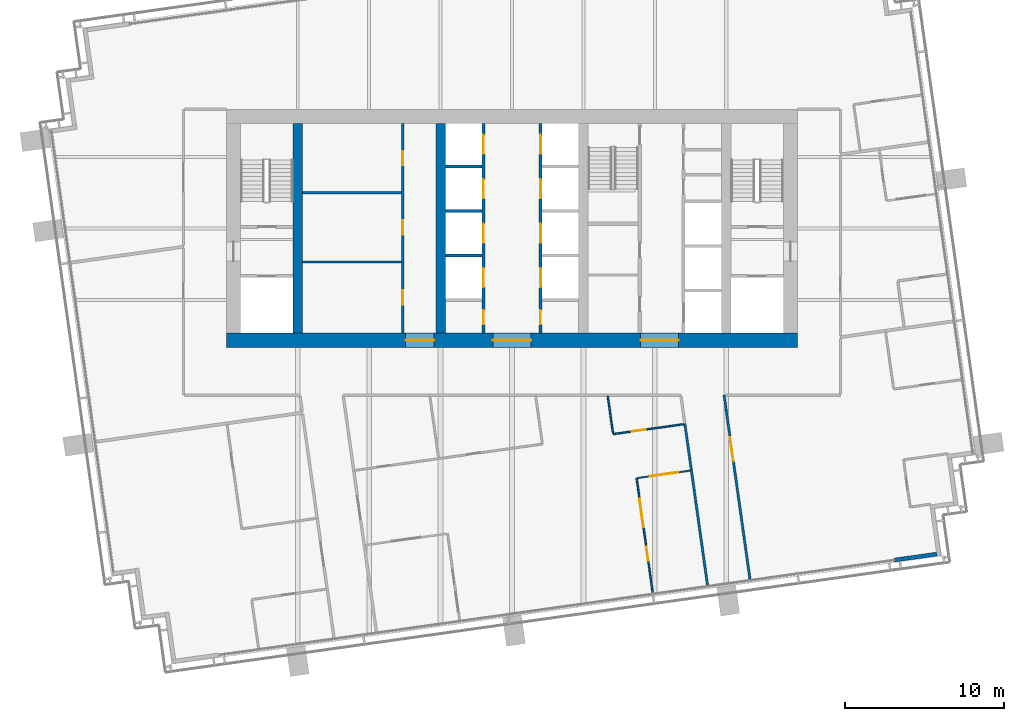
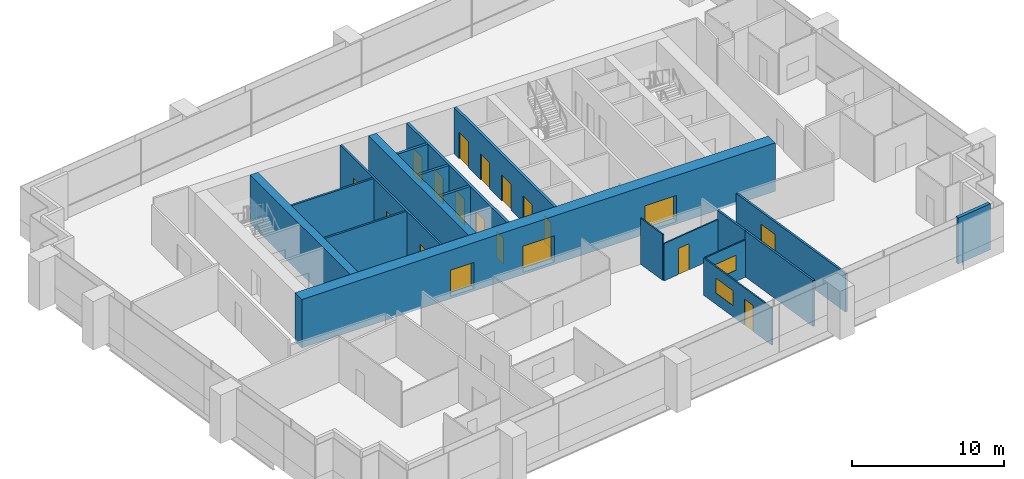
# One storey, part 10 of 18: 19 doors, 19 walls, 2 windows, 21 openings.
"""IFC4 building model written with IfcOpenShell, lengths in metres."""

import ifcopenshell
import ifcopenshell.guid

model = None  # the IFC model being written
_history = None  # IfcOwnerHistory: only IFC2X3 demands one
_inside = {}  # id of a spatial element -> (the spatial element, [elements in it])
_under = {}  # id of a project, library or spatial element -> (it, [spatial elements below it])
_declared = {}  # id of a project -> (the project, [libraries it declares])
_typed = {}  # id of a type object -> (the type object, [elements of that type])
_made_of = {}  # id of a material, layer set ... -> (it, [elements and type objects made of it])


def new_model(schema):
    """Start an empty IFC model of exactly this schema.

    Asked for "IFC4X3", IfcOpenShell would pick the latest addendum, in which some entities
    have other attributes; the version numbers below select the first issue.
    IFC2X3 requires an IfcOwnerHistory on every rooted entity: one is made here for all.
    """
    global model, _history
    if schema == "IFC4X3":
        model = ifcopenshell.file(schema_version=(4, 3, 0, 0))
    else:
        model = ifcopenshell.file(schema=schema)
    _inside.clear()
    _under.clear()
    _declared.clear()
    _typed.clear()
    _made_of.clear()
    _history = None
    if model.schema == "IFC2X3":
        org = make("IfcOrganization", Name="unknown")
        user = make(
            "IfcPersonAndOrganization",
            ThePerson=make("IfcPerson", FamilyName="unknown"),
            TheOrganization=org,
        )
        app = make(
            "IfcApplication",
            ApplicationDeveloper=org,
            Version="unknown",
            ApplicationFullName="unknown",
            ApplicationIdentifier="unknown",
        )
        _history = make(
            "IfcOwnerHistory",
            OwningUser=user,
            OwningApplication=app,
            ChangeAction="ADDED",
            CreationDate=0,
        )
    return model


def make(cls, **values):
    """One entity of the class cls with the attributes given. An attribute that is None is left unset."""
    return model.create_entity(
        cls, **{name: value for name, value in values.items() if value is not None}
    )


def rooted(cls, **values):
    """An entity with a GlobalId (a new one), such as an element, a storey or a relation."""
    return make(cls, GlobalId=ifcopenshell.guid.new(), OwnerHistory=_history, **values)


def si_unit(unit_type, name, prefix=None):
    """IfcSIUnit, for example si_unit("LENGTHUNIT", "METRE", prefix="MILLI")."""
    return make("IfcSIUnit", UnitType=unit_type, Prefix=prefix, Name=name)


def assignment(units):
    """IfcUnitAssignment: the units of a project."""
    return None if units is None else make("IfcUnitAssignment", Units=units)


def point(xyz):
    """IfcCartesianPoint."""
    return None if xyz is None else make("IfcCartesianPoint", Coordinates=xyz)


def direction(xyz):
    """IfcDirection."""
    return None if xyz is None else make("IfcDirection", DirectionRatios=xyz)


def frame(location, z_axis=None, x_axis=None):
    """IfcAxis2Placement3D, a coordinate frame: its origin and axes. An axis left out is left unset."""
    return make(
        "IfcAxis2Placement3D",
        Location=point(location),
        Axis=direction(z_axis),
        RefDirection=direction(x_axis),
    )


def frame_2d(location, x_axis=None):
    """IfcAxis2Placement2D, a coordinate frame in the plane: its origin and x axis."""
    return make(
        "IfcAxis2Placement2D", Location=point(location), RefDirection=direction(x_axis)
    )


def origin():
    """The frame at (0, 0, 0) with its axes left unset."""
    return frame((0.0, 0.0, 0.0))


def place(relative_to, where):
    """IfcLocalPlacement: puts the frame where relative to a parent placement (None: the world)."""
    return make(
        "IfcLocalPlacement", PlacementRelTo=relative_to, RelativePlacement=where
    )


def context(
    kind, dimensions, precision=None, world=None, true_north=None, identifier=None
):
    """IfcGeometricRepresentationContext, for example the 3D "Model" context."""
    return make(
        "IfcGeometricRepresentationContext",
        ContextIdentifier=identifier,
        ContextType=kind,
        CoordinateSpaceDimension=dimensions,
        Precision=precision,
        WorldCoordinateSystem=world,
        TrueNorth=true_north,
    )


def subcontext(parent, identifier, kind, view, scale=None):
    """IfcGeometricRepresentationSubContext, for example "Body" below "Model"."""
    return make(
        "IfcGeometricRepresentationSubContext",
        ContextIdentifier=identifier,
        ContextType=kind,
        ParentContext=parent,
        TargetScale=scale,
        TargetView=view,
    )


def project(units=None, contexts=None):
    """IfcProject with its units and contexts."""
    return rooted(
        "IfcProject",
        Name="project",
        RepresentationContexts=contexts,
        UnitsInContext=assignment(units),
    )


def spatial(cls, under=None, at=None, **own):
    """A site, building, storey or space (cls), placed at a placement, below another one or the project."""
    s = rooted(cls, ObjectPlacement=at, **own)
    if under is not None:
        _under.setdefault(under.id(), (under, []))[1].append(s)
    return s


def profile(cls, at=None, kind="AREA", **sizes):
    """A parametric profile (cls). Its sizes go by their IFC names, for example OverallWidth=200.0."""
    return make(cls, ProfileType=kind, Position=at, **sizes)


def rectangle(**sizes):
    """IfcRectangleProfileDef."""
    return profile("IfcRectangleProfileDef", **sizes)


def extrude(swept, where, along, depth):
    """IfcExtrudedAreaSolid: the profile swept, set in the frame where, extruded along a direction by depth."""
    return make(
        "IfcExtrudedAreaSolid",
        SweptArea=swept,
        Position=where,
        ExtrudedDirection=direction(along),
        Depth=depth,
    )


def shape(context_of_items, identifier, shape_type, items):
    """IfcShapeRepresentation: the items that make up one representation, for example the "Body"."""
    return make(
        "IfcShapeRepresentation",
        ContextOfItems=context_of_items,
        RepresentationIdentifier=identifier,
        RepresentationType=shape_type,
        Items=items,
    )


def material(Name=None, Category=None):
    """IfcMaterial."""
    return make("IfcMaterial", Name=Name, Category=Category)


def layer(
    of_material, thickness, ventilated=None, Name=None, Category=None, Priority=None
):
    """IfcMaterialLayer: one layer of a wall or slab, of a material (None: an air gap)."""
    return make(
        "IfcMaterialLayer",
        Material=of_material,
        LayerThickness=thickness,
        IsVentilated=ventilated,
        Name=Name,
        Category=Category,
        Priority=Priority,
    )


def layer_set(layers, Name=None):
    """IfcMaterialLayerSet."""
    return make("IfcMaterialLayerSet", MaterialLayers=layers, LayerSetName=Name)


def made_of(thing, what):
    """Note that an element or type object is made of a material, layer set ...; save() writes the relation."""
    if what is not None:
        _made_of.setdefault(what.id(), (what, []))[1].append(thing)
    return thing


def type_object(cls, material=None, **own):
    """A type object (cls), such as IfcWallType, which elements share."""
    return made_of(rooted(cls, **own), material)


def element(
    cls,
    number,
    at=None,
    inside=None,
    cuts=None,
    type_object=None,
    material=None,
    context=None,
    identifier="Body",
    shape_type=None,
    held_by="IfcProductDefinitionShape",
    body=None,
    shapes=None,
    **own,
):
    """One element of the class cls, such as IfcWall. Its Tag is "e" and its number.

    at: its placement. inside: the storey or other place that contains it. cuts: it is an
    opening in that element (IfcRelVoidsElement). A single representation is given by context,
    identifier, shape_type and body (its items); several are given by shapes. held_by: the class
    of the entity that holds the representations. save() writes the other relations.
    """
    e = rooted(cls, Tag="e%d" % number, ObjectPlacement=at, **own)
    if body is not None:
        shapes = [shape(context, identifier, shape_type, body)]
    if shapes is not None:
        e.Representation = make(held_by, Representations=shapes)
    if inside is not None:
        _inside.setdefault(inside.id(), (inside, []))[1].append(e)
    if cuts is not None:
        rooted(
            "IfcRelVoidsElement", RelatingBuildingElement=cuts, RelatedOpeningElement=e
        )
    if type_object is not None:
        _typed.setdefault(type_object.id(), (type_object, []))[1].append(e)
    return made_of(e, material)


def fill(opening, filler):
    """IfcRelFillsElement: the door or window that sits in an opening."""
    return rooted(
        "IfcRelFillsElement",
        RelatingOpeningElement=opening,
        RelatedBuildingElement=filler,
    )


def aggregate(whole, parts):
    """IfcRelAggregates: a whole, such as a stair, and the parts it consists of."""
    return rooted("IfcRelAggregates", RelatingObject=whole, RelatedObjects=parts)


def save(model, path):
    """Write the relations noted so far, then the file.

    IfcRelAggregates (storeys below a building ...), IfcRelContainedInSpatialStructure (elements
    in a storey), IfcRelDefinesByType, IfcRelAssociatesMaterial and IfcRelDeclares: one each for
    every whole, place, type object, material and project.
    """
    for whole, parts in _under.values():
        aggregate(whole, parts)
    for where, things in _inside.values():
        rooted(
            "IfcRelContainedInSpatialStructure",
            RelatedElements=things,
            RelatingStructure=where,
        )
    for kind, things in _typed.values():
        rooted("IfcRelDefinesByType", RelatedObjects=things, RelatingType=kind)
    for what, things in _made_of.values():
        rooted("IfcRelAssociatesMaterial", RelatedObjects=things, RelatingMaterial=what)
    for by, libraries in _declared.values():
        rooted("IfcRelDeclares", RelatingContext=by, RelatedDefinitions=libraries)
    model.write(path)


model = new_model("IFC4")

# Units and contexts
model_context = context("Model", 3, precision=1e-05, world=origin(), true_north=direction((0.0, 1.0)))
body_context = subcontext(model_context, "Body", "Model", "MODEL_VIEW")
ifc_project = project(units=[si_unit("LENGTHUNIT", "METRE"), si_unit("AREAUNIT", "SQUARE_METRE"), si_unit("VOLUMEUNIT", "CUBIC_METRE"), si_unit("PLANEANGLEUNIT", "RADIAN"), si_unit("MASSUNIT", "GRAM", prefix="KILO")], contexts=[model_context])

# Site, building, storey
site_placement = place(None, origin())
site = spatial("IfcSite", under=ifc_project, at=site_placement, CompositionType="ELEMENT")
building_placement = place(site_placement, origin())
building = spatial("IfcBuilding", under=site, at=building_placement, Name="Rattan Terrace Tower", CompositionType="ELEMENT")
storey_placement = place(building_placement, frame((0.0, 0.0, 188.0)))
storey = spatial("IfcBuildingStorey", under=building, at=storey_placement, Name="L43", CompositionType="ELEMENT", Elevation=188.0)

# Wall, openings, doors
ifc_material_1 = material(Name="Gypsum board partition")
ifc_layer_1 = layer(ifc_material_1, 0.14990234375)
ifc_layer_set_1 = layer_set([ifc_layer_1], Name="Core partition 150")
wall_type_1 = type_object("IfcWallType", Name="Core partition 150", PredefinedType="PARTITIONING", material=ifc_layer_set_1)
wall_1_placement = place(storey_placement, frame((-6.875, -6.60009765625, 0.0), z_axis=(0.0, 0.0, 1.0), x_axis=(0.0, 1.0, 0.0)))
wall_1 = element("IfcWall", 1, at=wall_1_placement, inside=storey, type_object=wall_type_1, Name="Core room wall", PredefinedType="PARTITIONING", context=body_context, shape_type="SweptSolid", body=[
    extrude(rectangle(XDim=13.2001953125, YDim=0.14990234375, at=frame_2d((6.60009765625, 0.0))), origin(), (0.0, 0.0, 1.0), 3.699951171875),
])
opening_1_placement = place(wall_1_placement, frame((1.7939453125, 0.0, 0.0)))
opening_1 = element("IfcOpeningElement", 2, at=opening_1_placement, cuts=wall_1, Name="Opening L43-D005", PredefinedType="OPENING", context=body_context, shape_type="SweptSolid", body=[
    extrude(rectangle(XDim=0.89990234375, YDim=2.10009765625, at=frame_2d((0.449951171875, 1.050048828125))), frame((0.0, 0.08544921875, 0.0), z_axis=(0.0, -1.0, 0.0), x_axis=(1.0, 0.0, 0.0)), (0.0, 0.0, 1.0), 0.1708984375),
])
opening_2_placement = place(wall_1_placement, frame((6.216064453125, 0.0, 0.0)))
opening_2 = element("IfcOpeningElement", 3, at=opening_2_placement, cuts=wall_1, Name="Opening L43-D006", PredefinedType="OPENING", context=body_context, shape_type="SweptSolid", body=[
    extrude(rectangle(XDim=0.89990234375, YDim=2.10009765625, at=frame_2d((0.449951171875, 1.050048828125))), frame((0.0, 0.08544921875, 0.0), z_axis=(0.0, -1.0, 0.0), x_axis=(1.0, 0.0, 0.0)), (0.0, 0.0, 1.0), 0.1708984375),
])
opening_3_placement = place(wall_1_placement, frame((10.572021484375, 0.0, 0.0)))
opening_3 = element("IfcOpeningElement", 4, at=opening_3_placement, cuts=wall_1, Name="Opening L43-D007", PredefinedType="OPENING", context=body_context, shape_type="SweptSolid", body=[
    extrude(rectangle(XDim=0.89990234375, YDim=2.10009765625, at=frame_2d((0.449951171875, 1.050048828125))), frame((0.0, 0.08544921875, 0.0), z_axis=(0.0, -1.0, 0.0), x_axis=(1.0, 0.0, 0.0)), (0.0, 0.0, 1.0), 0.1708984375),
])
ifc_material_2 = material(Name="Hollow-metal fire door leaf")
door_type_1 = type_object("IfcDoorType", Name="Core service room door 900", OperationType="NOTDEFINED", PredefinedType="DOOR", material=ifc_material_2)
door_1_placement = place(opening_1_placement, origin())
door_1 = element("IfcDoor", 5, at=door_1_placement, inside=storey, type_object=door_type_1, Name="Door L43-D005", OperationType="SINGLE_SWING_LEFT", OverallHeight=2.10009765625, OverallWidth=0.89990234375, PredefinedType="DOOR", context=body_context, shape_type="SweptSolid", body=[
    extrude(rectangle(XDim=0.89990234375, YDim=2.10009765625, at=frame_2d((0.449951171875, 1.050048828125))), frame((0.0, 0.02490234375, 0.0), z_axis=(0.0, -1.0, 0.0), x_axis=(1.0, 0.0, 0.0)), (0.0, 0.0, 1.0), 0.050048828125),
])
fill(opening_1, door_1)
door_2_placement = place(opening_2_placement, origin())
door_2 = element("IfcDoor", 6, at=door_2_placement, inside=storey, type_object=door_type_1, Name="Door L43-D006", OperationType="SINGLE_SWING_RIGHT", OverallHeight=2.10009765625, OverallWidth=0.89990234375, PredefinedType="DOOR", context=body_context, shape_type="SweptSolid", body=[
    extrude(rectangle(XDim=0.89990234375, YDim=2.10009765625, at=frame_2d((0.449951171875, 1.050048828125))), frame((0.0, 0.02490234375, 0.0), z_axis=(0.0, -1.0, 0.0), x_axis=(1.0, 0.0, 0.0)), (0.0, 0.0, 1.0), 0.050048828125),
])
fill(opening_2, door_2)
door_3_placement = place(opening_3_placement, origin())
door_3 = element("IfcDoor", 7, at=door_3_placement, inside=storey, type_object=door_type_1, Name="Door L43-D007", OperationType="SINGLE_SWING_LEFT", OverallHeight=2.10009765625, OverallWidth=0.89990234375, PredefinedType="DOOR", context=body_context, shape_type="SweptSolid", body=[
    extrude(rectangle(XDim=0.89990234375, YDim=2.10009765625, at=frame_2d((0.449951171875, 1.050048828125))), frame((0.0, 0.02490234375, 0.0), z_axis=(0.0, -1.0, 0.0), x_axis=(1.0, 0.0, 0.0)), (0.0, 0.0, 1.0), 0.050048828125),
])
fill(opening_3, door_3)

# Walls
for number, where, z_axis, x_axis, name in (
    (8, (-13.199951171875, -2.112060546875, 0.0), (0.0, 0.0, 1.0), (1.0, 0.0, 0.0), "Core room wall"),
    (9, (-13.199951171875, 2.243896484375, 0.0), (0.0, 0.0, 1.0), (1.0, 0.0, 0.0), "Core room wall"),
):
    element("IfcWall", number, at=place(storey_placement, frame(where, z_axis=z_axis, x_axis=x_axis)), inside=storey, type_object=wall_type_1, Name=name, PredefinedType="PARTITIONING", context=body_context, shape_type="SweptSolid", body=[
        extrude(rectangle(XDim=6.25, YDim=0.14990234375, at=frame_2d((3.125, 0.0))), origin(), (0.0, 0.0, 1.0), 3.699951171875),
    ])

# Wall, openings, doors
ifc_material_3 = material(Name="Concrete C60/75", Category="concrete")
ifc_layer_2 = layer(ifc_material_3, 0.89990234375)
ifc_layer_set_2 = layer_set([ifc_layer_2], Name="Core ring wall 900 C60/75")
wall_type_2 = type_object("IfcWallType", Name="Core ring wall 900 C60/75", PredefinedType="SHEAR", material=ifc_layer_set_2)
wall_2_placement = place(storey_placement, frame((-18.0, -7.050048828125, -0.199951171875), z_axis=(0.0, 0.0, 1.0), x_axis=(1.0, 0.0, 0.0)))
wall_2 = element("IfcWall", 10, at=wall_2_placement, inside=storey, type_object=wall_type_2, Name="Rear core wall south", PredefinedType="SHEAR", context=body_context, shape_type="SweptSolid", body=[
    extrude(rectangle(XDim=36.0, YDim=0.89990234375, at=frame_2d((18.0, 0.0))), origin(), (0.0, 0.0, 1.0), 3.89990234375),
])
opening_4_placement = place(wall_2_placement, frame((11.300048828125, 0.0, 0.199951171875)))
opening_4 = element("IfcOpeningElement", 11, at=opening_4_placement, cuts=wall_2, Name="Opening L43-D008", PredefinedType="OPENING", context=body_context, shape_type="SweptSolid", body=[
    extrude(rectangle(XDim=1.800048828125, YDim=2.10009765625, at=frame_2d((0.89990234375, 1.050048828125))), frame((0.0, 0.46044921875, 0.0), z_axis=(0.0, -1.0, 0.0), x_axis=(1.0, 0.0, 0.0)), (0.0, 0.0, 1.0), 0.9208984375),
])
opening_5_placement = place(wall_2_placement, frame((16.800048828125, 0.0, 0.199951171875)))
opening_5 = element("IfcOpeningElement", 12, at=opening_5_placement, cuts=wall_2, Name="Opening L43-D011", PredefinedType="OPENING", context=body_context, shape_type="SweptSolid", body=[
    extrude(rectangle(XDim=2.39990234375, YDim=2.10009765625, at=frame_2d((1.199951171875, 1.050048828125))), frame((0.0, 0.46044921875, 0.0), z_axis=(0.0, -1.0, 0.0), x_axis=(1.0, 0.0, 0.0)), (0.0, 0.0, 1.0), 0.9208984375),
])
opening_6_placement = place(wall_2_placement, frame((26.10009765625, 0.0, 0.199951171875)))
opening_6 = element("IfcOpeningElement", 13, at=opening_6_placement, cuts=wall_2, Name="Opening L43-D015", PredefinedType="OPENING", context=body_context, shape_type="SweptSolid", body=[
    extrude(rectangle(XDim=2.39990234375, YDim=2.10009765625, at=frame_2d((1.199951171875, 1.050048828125))), frame((0.0, 0.46044921875, 0.0), z_axis=(0.0, -1.0, 0.0), x_axis=(1.0, 0.0, 0.0)), (0.0, 0.0, 1.0), 0.9208984375),
])
ifc_material_4 = material(Name="Hollow-metal fire door leaf")
door_type_2 = type_object("IfcDoorType", Name="Core lift lobby door 2400", OperationType="NOTDEFINED", PredefinedType="DOOR", material=ifc_material_4)
door_4_placement = place(opening_5_placement, origin())
door_4 = element("IfcDoor", 14, at=door_4_placement, inside=storey, type_object=door_type_2, Name="Door L43-D011", OperationType="DOUBLE_DOOR_DOUBLE_SWING", OverallHeight=2.10009765625, OverallWidth=2.39990234375, PredefinedType="DOOR", context=body_context, shape_type="SweptSolid", body=[
    extrude(rectangle(XDim=2.39990234375, YDim=2.10009765625, at=frame_2d((1.199951171875, 1.050048828125))), frame((0.0, 0.02490234375, 0.0), z_axis=(0.0, -1.0, 0.0), x_axis=(1.0, 0.0, 0.0)), (0.0, 0.0, 1.0), 0.050048828125),
])
fill(opening_5, door_4)
door_5_placement = place(opening_6_placement, origin())
door_5 = element("IfcDoor", 15, at=door_5_placement, inside=storey, type_object=door_type_2, Name="Door L43-D015", OperationType="DOUBLE_DOOR_DOUBLE_SWING", OverallHeight=2.10009765625, OverallWidth=2.39990234375, PredefinedType="DOOR", context=body_context, shape_type="SweptSolid", body=[
    extrude(rectangle(XDim=2.39990234375, YDim=2.10009765625, at=frame_2d((1.199951171875, 1.050048828125))), frame((0.0, 0.02490234375, 0.0), z_axis=(0.0, -1.0, 0.0), x_axis=(1.0, 0.0, 0.0)), (0.0, 0.0, 1.0), 0.050048828125),
])
fill(opening_6, door_5)
ifc_material_5 = material(Name="Hollow-metal fire door leaf")
door_type_3 = type_object("IfcDoorType", Name="Core service room door 1800", OperationType="NOTDEFINED", PredefinedType="DOOR", material=ifc_material_5)
door_6_placement = place(opening_4_placement, origin())
door_6 = element("IfcDoor", 16, at=door_6_placement, inside=storey, type_object=door_type_3, Name="Door L43-D008", OperationType="SINGLE_SWING_RIGHT", OverallHeight=2.10009765625, OverallWidth=1.800048828125, PredefinedType="DOOR", context=body_context, shape_type="SweptSolid", body=[
    extrude(rectangle(XDim=1.800048828125, YDim=2.10009765625, at=frame_2d((0.89990234375, 1.050048828125))), frame((0.0, 0.02490234375, 0.0), z_axis=(0.0, -1.0, 0.0), x_axis=(1.0, 0.0, 0.0)), (0.0, 0.0, 1.0), 0.050048828125),
])
fill(opening_4, door_6)

# Walls
ifc_material_6 = material(Name="Concrete C60/75", Category="concrete")
ifc_layer_3 = layer(ifc_material_6, 0.60009765625)
ifc_layer_set_3 = layer_set([ifc_layer_3], Name="Core spine wall 600 C60/75")
wall_type_3 = type_object("IfcWallType", Name="Core spine wall 600 C60/75", PredefinedType="SHEAR", material=ifc_layer_set_3)
for number, where, z_axis, x_axis, name in (
    (17, (-13.5, -6.60009765625, -0.199951171875), (0.0, 0.0, 1.0), (0.0, 1.0, 0.0), "Core spine wall 1"),
    (18, (-4.5, -6.60009765625, -0.199951171875), (0.0, 0.0, 1.0), (0.0, 1.0, 0.0), "Core spine wall 2"),
):
    element("IfcWall", number, at=place(storey_placement, frame(where, z_axis=z_axis, x_axis=x_axis)), inside=storey, type_object=wall_type_3, Name=name, PredefinedType="SHEAR", context=body_context, shape_type="SweptSolid", body=[
        extrude(rectangle(XDim=13.2001953125, YDim=0.60009765625, at=frame_2d((6.60009765625, 0.0))), origin(), (0.0, 0.0, 1.0), 3.89990234375),
    ])
ifc_material_7 = material(Name="Insulated aluminium-clad stud wall", Category="aluminium")
ifc_layer_4 = layer(ifc_material_7, 0.25)
ifc_layer_set_4 = layer_set([ifc_layer_4], Name="Facade Riser Wall 250")
wall_type_4 = type_object("IfcWallType", Name="Facade Riser Wall 250", PredefinedType="SOLIDWALL", material=ifc_layer_set_4)
wall_3_placement = place(storey_placement, frame((24.08544921875, -20.892578125, 0.0), z_axis=(0.0, 0.0, 1.0), x_axis=(0.990255800966, 0.139260362823, 0.0)))
element("IfcWall", 19, at=wall_3_placement, inside=storey, type_object=wall_type_4, Name="Riser wall L43-1", PredefinedType="SOLIDWALL", context=body_context, shape_type="SweptSolid", body=[
    extrude(rectangle(XDim=2.705078125, YDim=0.25, at=frame_2d((1.3525390625, 0.0))), origin(), (0.0, 0.0, 1.0), 3.699951171875),
])

# Wall, openings, door, window
ifc_material_8 = material(Name="Gypsum board partition on steel studs", Category="steel")
ifc_layer_5 = layer(ifc_material_8, 0.10009765625)
ifc_layer_set_5 = layer_set([ifc_layer_5], Name="Floors Partition 100")
wall_type_5 = type_object("IfcWallType", Name="Floors Partition 100", PredefinedType="PARTITIONING", material=ifc_layer_set_5)
wall_4_placement = place(storey_placement, frame((7.85205078125, -15.73095703125, 0.0), z_axis=(0.0, 0.0, 1.0), x_axis=(0.139143839005, -0.9902721808, 0.0)))
wall_4 = element("IfcWall", 20, at=wall_4_placement, inside=storey, type_object=wall_type_5, Name="pt-L43-051", PredefinedType="PARTITIONING", context=body_context, shape_type="SweptSolid", body=[
    extrude(rectangle(XDim=7.27978515625, YDim=0.10009765625, at=frame_2d((3.639892578125, 0.0))), origin(), (0.0, 0.0, 1.0), 3.0),
])
opening_7_placement = place(wall_4_placement, frame((4.365966796875, 0.0, 0.0)))
opening_7 = element("IfcOpeningElement", 21, at=opening_7_placement, cuts=wall_4, Name="Opening L43-D114", PredefinedType="OPENING", context=body_context, shape_type="SweptSolid", body=[
    extrude(rectangle(XDim=0.89990234375, YDim=2.10009765625, at=frame_2d((0.449951171875, 1.050048828125))), frame((0.0, 0.060546875, 0.0), z_axis=(0.0, -1.0, 0.0), x_axis=(1.0, 0.0, 0.0)), (0.0, 0.0, 1.0), 0.12109375),
])
opening_8_placement = place(wall_4_placement, frame((1.30810546875, 0.0, 0.89990234375)))
opening_8 = element("IfcOpeningElement", 22, at=opening_8_placement, cuts=wall_4, Name="Opening L43-W103", PredefinedType="OPENING", context=body_context, shape_type="SweptSolid", body=[
    extrude(rectangle(XDim=1.800048828125, YDim=1.199951171875, at=frame_2d((0.89990234375, 0.60009765625))), frame((0.0, 0.060546875, 0.0), z_axis=(0.0, -1.0, 0.0), x_axis=(1.0, 0.0, 0.0)), (0.0, 0.0, 1.0), 0.12109375),
])
ifc_material_9 = material(Name="Solid core timber door, painted", Category="wood")
door_type_4 = type_object("IfcDoorType", Name="Floors Door 900x2100", OperationType="NOTDEFINED", PredefinedType="DOOR", material=ifc_material_9)
door_7_placement = place(opening_7_placement, origin())
door_7 = element("IfcDoor", 23, at=door_7_placement, inside=storey, type_object=door_type_4, Name="d-L43-114", OperationType="SINGLE_SWING_RIGHT", OverallHeight=2.10009765625, OverallWidth=0.89990234375, PredefinedType="DOOR", context=body_context, shape_type="SweptSolid", body=[
    extrude(rectangle(XDim=0.89990234375, YDim=2.10009765625, at=frame_2d((0.449951171875, 1.050048828125))), frame((0.0, 0.02490234375, 0.0), z_axis=(0.0, -1.0, 0.0), x_axis=(1.0, 0.0, 0.0)), (0.0, 0.0, 1.0), 0.050048828125),
])
fill(opening_7, door_7)
ifc_material_10 = material(Name="Glass, clear, fixed in aluminium frame", Category="aluminium")
window_type = type_object("IfcWindowType", Name="Interior Vision Window 1800x1200", PartitioningType="SINGLE_PANEL", PredefinedType="WINDOW", material=ifc_material_10)
window_1_placement = place(opening_8_placement, origin())
window_1 = element("IfcWindow", 24, at=window_1_placement, inside=storey, type_object=window_type, Name="w-L43-103", OverallHeight=1.199951171875, OverallWidth=1.800048828125, PartitioningType="SINGLE_PANEL", PredefinedType="WINDOW", context=body_context, shape_type="SweptSolid", body=[
    extrude(rectangle(XDim=1.800048828125, YDim=1.199951171875, at=frame_2d((0.89990234375, 0.60009765625))), frame((0.0, 0.030029296875, 0.0), z_axis=(0.0, -1.0, 0.0), x_axis=(1.0, 0.0, 0.0)), (0.0, 0.0, 1.0), 0.06005859375),
])
fill(opening_8, window_1)

# Wall, opening, window
wall_5_placement = place(storey_placement, frame((11.22900390625, -15.256103515625, 0.0), z_axis=(0.0, 0.0, 1.0), x_axis=(-0.990256578838, -0.139254831399, 0.0)))
wall_5 = element("IfcWall", 25, at=wall_5_placement, inside=storey, type_object=wall_type_5, Name="pt-L43-052", PredefinedType="PARTITIONING", context=body_context, shape_type="SweptSolid", body=[
    extrude(rectangle(XDim=3.36083984375, YDim=0.10009765625, at=frame_2d((1.680419921875, 0.0))), origin(), (0.0, 0.0, 1.0), 3.0),
])
opening_9_placement = place(wall_5_placement, frame((0.780029296875, 0.0, 0.89990234375)))
opening_9 = element("IfcOpeningElement", 26, at=opening_9_placement, cuts=wall_5, Name="Opening L43-W104", PredefinedType="OPENING", context=body_context, shape_type="SweptSolid", body=[
    extrude(rectangle(XDim=1.800048828125, YDim=1.199951171875, at=frame_2d((0.89990234375, 0.60009765625))), frame((0.0, 0.060546875, 0.0), z_axis=(0.0, -1.0, 0.0), x_axis=(1.0, 0.0, 0.0)), (0.0, 0.0, 1.0), 0.12109375),
])
window_2_placement = place(opening_9_placement, origin())
window_2 = element("IfcWindow", 27, at=window_2_placement, inside=storey, type_object=window_type, Name="w-L43-104", OverallHeight=1.199951171875, OverallWidth=1.800048828125, PartitioningType="SINGLE_PANEL", PredefinedType="WINDOW", context=body_context, shape_type="SweptSolid", body=[
    extrude(rectangle(XDim=1.800048828125, YDim=1.199951171875, at=frame_2d((0.89990234375, 0.60009765625))), frame((0.0, 0.030029296875, 0.0), z_axis=(0.0, -1.0, 0.0), x_axis=(1.0, 0.0, 0.0)), (0.0, 0.0, 1.0), 0.06005859375),
])
fill(opening_9, window_2)

# Wall
wall_6_placement = place(storey_placement, frame((6.034912109375, -10.568115234375, 0.0), z_axis=(0.0, 0.0, 1.0), x_axis=(0.139280161334, -0.990253016486, 0.0)))
element("IfcWall", 28, at=wall_6_placement, inside=storey, type_object=wall_type_5, Name="pt-L43-056", PredefinedType="PARTITIONING", context=body_context, shape_type="SweptSolid", body=[
    extrude(rectangle(XDim=2.36279296875, YDim=0.10009765625, at=frame_2d((1.181396484375, 0.0))), origin(), (0.0, 0.0, 1.0), 3.699951171875),
])

# Wall, opening, door
wall_7_placement = place(storey_placement, frame((6.37109375, -12.95703125, 0.0), z_axis=(0.0, 0.0, 1.0), x_axis=(0.990271914732, 0.139145732571, 0.0)))
wall_7 = element("IfcWall", 29, at=wall_7_placement, inside=storey, type_object=wall_type_5, Name="pt-L43-057", PredefinedType="PARTITIONING", context=body_context, shape_type="SweptSolid", body=[
    extrude(rectangle(XDim=4.49169921875, YDim=0.10009765625, at=frame_2d((2.245849609375, 0.0))), origin(), (0.0, 0.0, 1.0), 3.0),
])
opening_10_placement = place(wall_7_placement, frame((1.177001953125, 0.0, 0.0)))
opening_10 = element("IfcOpeningElement", 30, at=opening_10_placement, cuts=wall_7, Name="Opening L43-D117", PredefinedType="OPENING", context=body_context, shape_type="SweptSolid", body=[
    extrude(rectangle(XDim=0.89990234375, YDim=2.10009765625, at=frame_2d((0.449951171875, 1.050048828125))), frame((0.0, 0.060546875, 0.0), z_axis=(0.0, -1.0, 0.0), x_axis=(1.0, 0.0, 0.0)), (0.0, 0.0, 1.0), 0.12109375),
])
door_8_placement = place(opening_10_placement, origin())
door_8 = element("IfcDoor", 31, at=door_8_placement, inside=storey, type_object=door_type_4, Name="d-L43-117", OperationType="SINGLE_SWING_LEFT", OverallHeight=2.10009765625, OverallWidth=0.89990234375, PredefinedType="DOOR", context=body_context, shape_type="SweptSolid", body=[
    extrude(rectangle(XDim=0.89990234375, YDim=2.10009765625, at=frame_2d((0.449951171875, 1.050048828125))), frame((0.0, 0.02490234375, 0.0), z_axis=(0.0, -1.0, 0.0), x_axis=(1.0, 0.0, 0.0)), (0.0, 0.0, 1.0), 0.050048828125),
])
fill(opening_10, door_8)

ifc_material_11 = material(Name="Gypsum board partition on steel studs, fire rated", Category="steel")
ifc_layer_6 = layer(ifc_material_11, 0.14990234375)
ifc_layer_set_6 = layer_set([ifc_layer_6], Name="Floors Tenancy Wall 150")
wall_type_6 = type_object("IfcWallType", Name="Floors Tenancy Wall 150", PredefinedType="PARTITIONING", material=ifc_layer_set_6)
wall_8_placement = place(storey_placement, frame((13.363037109375, -10.5, 0.0), z_axis=(0.0, 0.0, 1.0), x_axis=(0.139211326844, -0.990262695692, 0.0)))
wall_8 = element("IfcWall", 32, at=wall_8_placement, inside=storey, type_object=wall_type_6, Name="pt-L43-004", PredefinedType="PARTITIONING", context=body_context, shape_type="SweptSolid", body=[
    extrude(rectangle(XDim=11.69384765625, YDim=0.14990234375, at=frame_2d((5.846923828125, 0.0))), origin(), (0.0, 0.0, 1.0), 3.10009765625),
])
opening_11_placement = place(wall_8_placement, frame((2.673095703125, 0.0, 0.0)))
opening_11 = element("IfcOpeningElement", 33, at=opening_11_placement, cuts=wall_8, Name="Opening L43-D103", PredefinedType="OPENING", context=body_context, shape_type="SweptSolid", body=[
    extrude(rectangle(XDim=1.5, YDim=2.10009765625, at=frame_2d((0.75, 1.050048828125))), frame((0.0, 0.08544921875, 0.0), z_axis=(0.0, -1.0, 0.0), x_axis=(1.0, 0.0, 0.0)), (0.0, 0.0, 1.0), 0.1708984375),
])
ifc_material_12 = material(Name="Steel fire door set", Category="steel")
door_type_5 = type_object("IfcDoorType", Name="Floors Unit Door Pair FD30S 1500x2100", OperationType="NOTDEFINED", PredefinedType="DOOR", material=ifc_material_12)
door_9_placement = place(opening_11_placement, origin())
door_9 = element("IfcDoor", 34, at=door_9_placement, inside=storey, type_object=door_type_5, Name="d-L43-103", OperationType="DOUBLE_DOOR_SINGLE_SWING", OverallHeight=2.10009765625, OverallWidth=1.5, PredefinedType="DOOR", context=body_context, shape_type="SweptSolid", body=[
    extrude(rectangle(XDim=1.5, YDim=2.10009765625, at=frame_2d((0.75, 1.050048828125))), frame((0.0, 0.02490234375, 0.0), z_axis=(0.0, -1.0, 0.0), x_axis=(1.0, 0.0, 0.0)), (0.0, 0.0, 1.0), 0.050048828125),
])
fill(opening_11, door_9)

# Walls
wall_9_placement = place(storey_placement, frame((11.301025390625, -15.22607421875, 0.0), z_axis=(0.0, 0.0, 1.0), x_axis=(-0.139233295347, 0.990259607107, 0.0)))
element("IfcWall", 35, at=wall_9_placement, inside=storey, type_object=wall_type_6, Name="pt-L43-017", PredefinedType="PARTITIONING", context=body_context, shape_type="SweptSolid", body=[
    extrude(rectangle(XDim=2.952880859375, YDim=0.14990234375, at=frame_2d((1.4765625, 0.0))), origin(), (0.0, 0.0, 1.0), 3.699951171875),
])
wall_10_placement = place(storey_placement, frame((12.31689453125, -22.4560546875, 0.0), z_axis=(0.0, 0.0, 1.0), x_axis=(-0.139141087095, 0.990272567469, 0.0)))
element("IfcWall", 36, at=wall_10_placement, inside=storey, type_object=wall_type_6, Name="pt-L43-019", PredefinedType="PARTITIONING", context=body_context, shape_type="SweptSolid", body=[
    extrude(rectangle(XDim=7.301025390625, YDim=0.14990234375, at=frame_2d((3.650390625, 0.0))), origin(), (0.0, 0.0, 1.0), 3.699951171875),
])

# Wall, openings, doors
ifc_material_13 = material(Name="Gypsum shaft wall system")
ifc_layer_7 = layer(ifc_material_13, 0.199951171875)
ifc_layer_set_7 = layer_set([ifc_layer_7], Name="Lift shaft wall 200")
wall_type_7 = type_object("IfcWallType", Name="Lift shaft wall 200", PredefinedType="PARTITIONING", material=ifc_layer_set_7)
wall_11_placement = place(storey_placement, frame((-1.800048828125, -6.60009765625, 0.0), z_axis=(0.0, 0.0, 1.0), x_axis=(0.0, 1.0, 0.0)))
wall_11 = element("IfcWall", 37, at=wall_11_placement, inside=storey, type_object=wall_type_7, Name="Lift shaft front wall", PredefinedType="PARTITIONING", context=body_context, shape_type="SweptSolid", body=[
    extrude(rectangle(XDim=13.2001953125, YDim=0.199951171875, at=frame_2d((6.60009765625, 0.0))), origin(), (0.0, 0.0, 1.0), 3.699951171875),
])
opening_12_placement = place(wall_11_placement, frame((0.550048828125, 0.0, 0.0)))
opening_12 = element("IfcOpeningElement", 38, at=opening_12_placement, cuts=wall_11, Name="Opening L43-D009", PredefinedType="OPENING", context=body_context, shape_type="SweptSolid", body=[
    extrude(rectangle(XDim=0.89990234375, YDim=2.10009765625, at=frame_2d((0.449951171875, 1.050048828125))), frame((0.0, 0.110595703125, 0.0), z_axis=(0.0, -1.0, 0.0), x_axis=(1.0, 0.0, 0.0)), (0.0, 0.0, 1.0), 0.220947265625),
])
opening_13_placement = place(wall_11_placement, frame((2.89990234375, 0.0, 0.0)))
opening_13 = element("IfcOpeningElement", 39, at=opening_13_placement, cuts=wall_11, Name="Opening L43-LD-HR1", PredefinedType="OPENING", context=body_context, shape_type="SweptSolid", body=[
    extrude(rectangle(XDim=1.199951171875, YDim=2.10009765625, at=frame_2d((0.60009765625, 1.050048828125))), frame((0.0, 0.110595703125, 0.0), z_axis=(0.0, -1.0, 0.0), x_axis=(1.0, 0.0, 0.0)), (0.0, 0.0, 1.0), 0.220947265625),
])
opening_14_placement = place(wall_11_placement, frame((5.699951171875, 0.0, 0.0)))
opening_14 = element("IfcOpeningElement", 40, at=opening_14_placement, cuts=wall_11, Name="Opening L43-LD-HR2", PredefinedType="OPENING", context=body_context, shape_type="SweptSolid", body=[
    extrude(rectangle(XDim=1.199951171875, YDim=2.10009765625, at=frame_2d((0.60009765625, 1.050048828125))), frame((0.0, 0.110595703125, 0.0), z_axis=(0.0, -1.0, 0.0), x_axis=(1.0, 0.0, 0.0)), (0.0, 0.0, 1.0), 0.220947265625),
])
opening_15_placement = place(wall_11_placement, frame((8.5, 0.0, 0.0)))
opening_15 = element("IfcOpeningElement", 41, at=opening_15_placement, cuts=wall_11, Name="Opening L43-LD-HR3", PredefinedType="OPENING", context=body_context, shape_type="SweptSolid", body=[
    extrude(rectangle(XDim=1.199951171875, YDim=2.10009765625, at=frame_2d((0.60009765625, 1.050048828125))), frame((0.0, 0.110595703125, 0.0), z_axis=(0.0, -1.0, 0.0), x_axis=(1.0, 0.0, 0.0)), (0.0, 0.0, 1.0), 0.220947265625),
])
opening_16_placement = place(wall_11_placement, frame((11.300048828125, 0.0, 0.0)))
opening_16 = element("IfcOpeningElement", 42, at=opening_16_placement, cuts=wall_11, Name="Opening L43-LD-HR4", PredefinedType="OPENING", context=body_context, shape_type="SweptSolid", body=[
    extrude(rectangle(XDim=1.199951171875, YDim=2.10009765625, at=frame_2d((0.60009765625, 1.050048828125))), frame((0.0, 0.110595703125, 0.0), z_axis=(0.0, -1.0, 0.0), x_axis=(1.0, 0.0, 0.0)), (0.0, 0.0, 1.0), 0.220947265625),
])
ifc_material_14 = material(Name="Brushed stainless landing door panel")
door_type_6 = type_object("IfcDoorType", Name="Core lift landing door 1200", OperationType="DOUBLE_DOOR_SLIDING", PredefinedType="DOOR", material=ifc_material_14)
door_10_placement = place(opening_13_placement, origin())
door_10 = element("IfcDoor", 43, at=door_10_placement, inside=storey, type_object=door_type_6, Name="Door L43-LD-HR1", OperationType="DOUBLE_DOOR_SLIDING", OverallHeight=2.10009765625, OverallWidth=1.199951171875, PredefinedType="DOOR", context=body_context, shape_type="SweptSolid", body=[
    extrude(rectangle(XDim=1.199951171875, YDim=2.10009765625, at=frame_2d((0.60009765625, 1.050048828125))), frame((0.0, 0.02490234375, 0.0), z_axis=(0.0, -1.0, 0.0), x_axis=(1.0, 0.0, 0.0)), (0.0, 0.0, 1.0), 0.050048828125),
])
fill(opening_13, door_10)
door_11_placement = place(opening_14_placement, origin())
door_11 = element("IfcDoor", 44, at=door_11_placement, inside=storey, type_object=door_type_6, Name="Door L43-LD-HR2", OperationType="DOUBLE_DOOR_SLIDING", OverallHeight=2.10009765625, OverallWidth=1.199951171875, PredefinedType="DOOR", context=body_context, shape_type="SweptSolid", body=[
    extrude(rectangle(XDim=1.199951171875, YDim=2.10009765625, at=frame_2d((0.60009765625, 1.050048828125))), frame((0.0, 0.02490234375, 0.0), z_axis=(0.0, -1.0, 0.0), x_axis=(1.0, 0.0, 0.0)), (0.0, 0.0, 1.0), 0.050048828125),
])
fill(opening_14, door_11)
door_12_placement = place(opening_15_placement, origin())
door_12 = element("IfcDoor", 45, at=door_12_placement, inside=storey, type_object=door_type_6, Name="Door L43-LD-HR3", OperationType="DOUBLE_DOOR_SLIDING", OverallHeight=2.10009765625, OverallWidth=1.199951171875, PredefinedType="DOOR", context=body_context, shape_type="SweptSolid", body=[
    extrude(rectangle(XDim=1.199951171875, YDim=2.10009765625, at=frame_2d((0.60009765625, 1.050048828125))), frame((0.0, 0.02490234375, 0.0), z_axis=(0.0, -1.0, 0.0), x_axis=(1.0, 0.0, 0.0)), (0.0, 0.0, 1.0), 0.050048828125),
])
fill(opening_15, door_12)
door_13_placement = place(opening_16_placement, origin())
door_13 = element("IfcDoor", 46, at=door_13_placement, inside=storey, type_object=door_type_6, Name="Door L43-LD-HR4", OperationType="DOUBLE_DOOR_SLIDING", OverallHeight=2.10009765625, OverallWidth=1.199951171875, PredefinedType="DOOR", context=body_context, shape_type="SweptSolid", body=[
    extrude(rectangle(XDim=1.199951171875, YDim=2.10009765625, at=frame_2d((0.60009765625, 1.050048828125))), frame((0.0, 0.02490234375, 0.0), z_axis=(0.0, -1.0, 0.0), x_axis=(1.0, 0.0, 0.0)), (0.0, 0.0, 1.0), 0.050048828125),
])
fill(opening_16, door_13)
ifc_material_15 = material(Name="Hollow-metal fire door leaf")
door_type_7 = type_object("IfcDoorType", Name="Core riser door 900", OperationType="NOTDEFINED", PredefinedType="DOOR", material=ifc_material_15)
door_14_placement = place(opening_12_placement, origin())
door_14 = element("IfcDoor", 47, at=door_14_placement, inside=storey, type_object=door_type_7, Name="Door L43-D009", OperationType="SINGLE_SWING_LEFT", OverallHeight=2.10009765625, OverallWidth=0.89990234375, PredefinedType="DOOR", context=body_context, shape_type="SweptSolid", body=[
    extrude(rectangle(XDim=0.89990234375, YDim=2.10009765625, at=frame_2d((0.449951171875, 1.050048828125))), frame((0.0, 0.02490234375, 0.0), z_axis=(0.0, -1.0, 0.0), x_axis=(1.0, 0.0, 0.0)), (0.0, 0.0, 1.0), 0.050048828125),
])
fill(opening_12, door_14)

wall_12_placement = place(storey_placement, frame((1.800048828125, -6.60009765625, 0.0), z_axis=(0.0, 0.0, 1.0), x_axis=(0.0, 1.0, 0.0)))
wall_12 = element("IfcWall", 48, at=wall_12_placement, inside=storey, type_object=wall_type_7, Name="Lift shaft front wall", PredefinedType="PARTITIONING", context=body_context, shape_type="SweptSolid", body=[
    extrude(rectangle(XDim=13.2001953125, YDim=0.199951171875, at=frame_2d((6.60009765625, 0.0))), origin(), (0.0, 0.0, 1.0), 3.699951171875),
])
opening_17_placement = place(wall_12_placement, frame((0.550048828125, 0.0, 0.0)))
opening_17 = element("IfcOpeningElement", 49, at=opening_17_placement, cuts=wall_12, Name="Opening L43-D010", PredefinedType="OPENING", context=body_context, shape_type="SweptSolid", body=[
    extrude(rectangle(XDim=0.89990234375, YDim=2.10009765625, at=frame_2d((0.449951171875, 1.050048828125))), frame((0.0, 0.110595703125, 0.0), z_axis=(0.0, -1.0, 0.0), x_axis=(1.0, 0.0, 0.0)), (0.0, 0.0, 1.0), 0.220947265625),
])
opening_18_placement = place(wall_12_placement, frame((2.89990234375, 0.0, 0.0)))
opening_18 = element("IfcOpeningElement", 50, at=opening_18_placement, cuts=wall_12, Name="Opening L43-LD-HR5", PredefinedType="OPENING", context=body_context, shape_type="SweptSolid", body=[
    extrude(rectangle(XDim=1.199951171875, YDim=2.10009765625, at=frame_2d((0.60009765625, 1.050048828125))), frame((0.0, 0.110595703125, 0.0), z_axis=(0.0, -1.0, 0.0), x_axis=(1.0, 0.0, 0.0)), (0.0, 0.0, 1.0), 0.220947265625),
])
opening_19_placement = place(wall_12_placement, frame((5.699951171875, 0.0, 0.0)))
opening_19 = element("IfcOpeningElement", 51, at=opening_19_placement, cuts=wall_12, Name="Opening L43-LD-HR6", PredefinedType="OPENING", context=body_context, shape_type="SweptSolid", body=[
    extrude(rectangle(XDim=1.199951171875, YDim=2.10009765625, at=frame_2d((0.60009765625, 1.050048828125))), frame((0.0, 0.110595703125, 0.0), z_axis=(0.0, -1.0, 0.0), x_axis=(1.0, 0.0, 0.0)), (0.0, 0.0, 1.0), 0.220947265625),
])
opening_20_placement = place(wall_12_placement, frame((8.5, 0.0, 0.0)))
opening_20 = element("IfcOpeningElement", 52, at=opening_20_placement, cuts=wall_12, Name="Opening L43-LD-HR7", PredefinedType="OPENING", context=body_context, shape_type="SweptSolid", body=[
    extrude(rectangle(XDim=1.199951171875, YDim=2.10009765625, at=frame_2d((0.60009765625, 1.050048828125))), frame((0.0, 0.110595703125, 0.0), z_axis=(0.0, -1.0, 0.0), x_axis=(1.0, 0.0, 0.0)), (0.0, 0.0, 1.0), 0.220947265625),
])
opening_21_placement = place(wall_12_placement, frame((11.300048828125, 0.0, 0.0)))
opening_21 = element("IfcOpeningElement", 53, at=opening_21_placement, cuts=wall_12, Name="Opening L43-LD-HR8", PredefinedType="OPENING", context=body_context, shape_type="SweptSolid", body=[
    extrude(rectangle(XDim=1.199951171875, YDim=2.10009765625, at=frame_2d((0.60009765625, 1.050048828125))), frame((0.0, 0.110595703125, 0.0), z_axis=(0.0, -1.0, 0.0), x_axis=(1.0, 0.0, 0.0)), (0.0, 0.0, 1.0), 0.220947265625),
])
door_15_placement = place(opening_18_placement, origin())
door_15 = element("IfcDoor", 54, at=door_15_placement, inside=storey, type_object=door_type_6, Name="Door L43-LD-HR5", OperationType="DOUBLE_DOOR_SLIDING", OverallHeight=2.10009765625, OverallWidth=1.199951171875, PredefinedType="DOOR", context=body_context, shape_type="SweptSolid", body=[
    extrude(rectangle(XDim=1.199951171875, YDim=2.10009765625, at=frame_2d((0.60009765625, 1.050048828125))), frame((0.0, 0.02490234375, 0.0), z_axis=(0.0, -1.0, 0.0), x_axis=(1.0, 0.0, 0.0)), (0.0, 0.0, 1.0), 0.050048828125),
])
fill(opening_18, door_15)
door_16_placement = place(opening_19_placement, origin())
door_16 = element("IfcDoor", 55, at=door_16_placement, inside=storey, type_object=door_type_6, Name="Door L43-LD-HR6", OperationType="DOUBLE_DOOR_SLIDING", OverallHeight=2.10009765625, OverallWidth=1.199951171875, PredefinedType="DOOR", context=body_context, shape_type="SweptSolid", body=[
    extrude(rectangle(XDim=1.199951171875, YDim=2.10009765625, at=frame_2d((0.60009765625, 1.050048828125))), frame((0.0, 0.02490234375, 0.0), z_axis=(0.0, -1.0, 0.0), x_axis=(1.0, 0.0, 0.0)), (0.0, 0.0, 1.0), 0.050048828125),
])
fill(opening_19, door_16)
door_17_placement = place(opening_20_placement, origin())
door_17 = element("IfcDoor", 56, at=door_17_placement, inside=storey, type_object=door_type_6, Name="Door L43-LD-HR7", OperationType="DOUBLE_DOOR_SLIDING", OverallHeight=2.10009765625, OverallWidth=1.199951171875, PredefinedType="DOOR", context=body_context, shape_type="SweptSolid", body=[
    extrude(rectangle(XDim=1.199951171875, YDim=2.10009765625, at=frame_2d((0.60009765625, 1.050048828125))), frame((0.0, 0.02490234375, 0.0), z_axis=(0.0, -1.0, 0.0), x_axis=(1.0, 0.0, 0.0)), (0.0, 0.0, 1.0), 0.050048828125),
])
fill(opening_20, door_17)
door_18_placement = place(opening_21_placement, origin())
door_18 = element("IfcDoor", 57, at=door_18_placement, inside=storey, type_object=door_type_6, Name="Door L43-LD-HR8", OperationType="DOUBLE_DOOR_SLIDING", OverallHeight=2.10009765625, OverallWidth=1.199951171875, PredefinedType="DOOR", context=body_context, shape_type="SweptSolid", body=[
    extrude(rectangle(XDim=1.199951171875, YDim=2.10009765625, at=frame_2d((0.60009765625, 1.050048828125))), frame((0.0, 0.02490234375, 0.0), z_axis=(0.0, -1.0, 0.0), x_axis=(1.0, 0.0, 0.0)), (0.0, 0.0, 1.0), 0.050048828125),
])
fill(opening_21, door_18)
door_19_placement = place(opening_17_placement, origin())
door_19 = element("IfcDoor", 58, at=door_19_placement, inside=storey, type_object=door_type_7, Name="Door L43-D010", OperationType="SINGLE_SWING_RIGHT", OverallHeight=2.10009765625, OverallWidth=0.89990234375, PredefinedType="DOOR", context=body_context, shape_type="SweptSolid", body=[
    extrude(rectangle(XDim=0.89990234375, YDim=2.10009765625, at=frame_2d((0.449951171875, 1.050048828125))), frame((0.0, 0.02490234375, 0.0), z_axis=(0.0, -1.0, 0.0), x_axis=(1.0, 0.0, 0.0)), (0.0, 0.0, 1.0), 0.050048828125),
])
fill(opening_17, door_19)

# Walls
for number, where, z_axis, x_axis, name in (
    (59, (-4.199951171875, -1.699951171875, 0.0), (0.0, 0.0, 1.0), (1.0, 0.0, 0.0), "Lift shaft wall"),
    (60, (-4.199951171875, 1.10009765625, 0.0), (0.0, 0.0, 1.0), (1.0, 0.0, 0.0), "Lift shaft wall"),
    (61, (-4.199951171875, 3.89990234375, 0.0), (0.0, 0.0, 1.0), (1.0, 0.0, 0.0), "Lift shaft wall"),
):
    element("IfcWall", number, at=place(storey_placement, frame(where, z_axis=z_axis, x_axis=x_axis)), inside=storey, type_object=wall_type_7, Name=name, PredefinedType="PARTITIONING", context=body_context, shape_type="SweptSolid", body=[
        extrude(rectangle(XDim=2.300048828125, YDim=0.199951171875, at=frame_2d((1.14990234375, 0.0))), origin(), (0.0, 0.0, 1.0), 3.699951171875),
    ])

save(model, "model.ifc")
